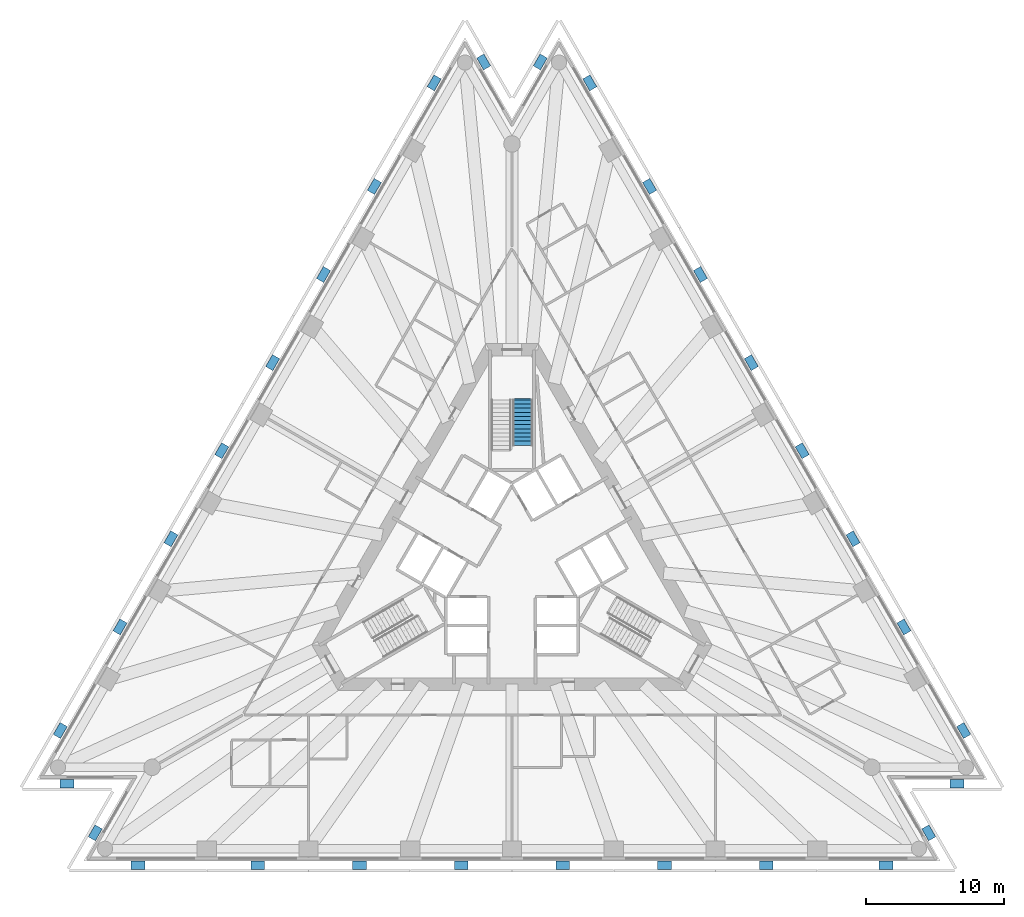
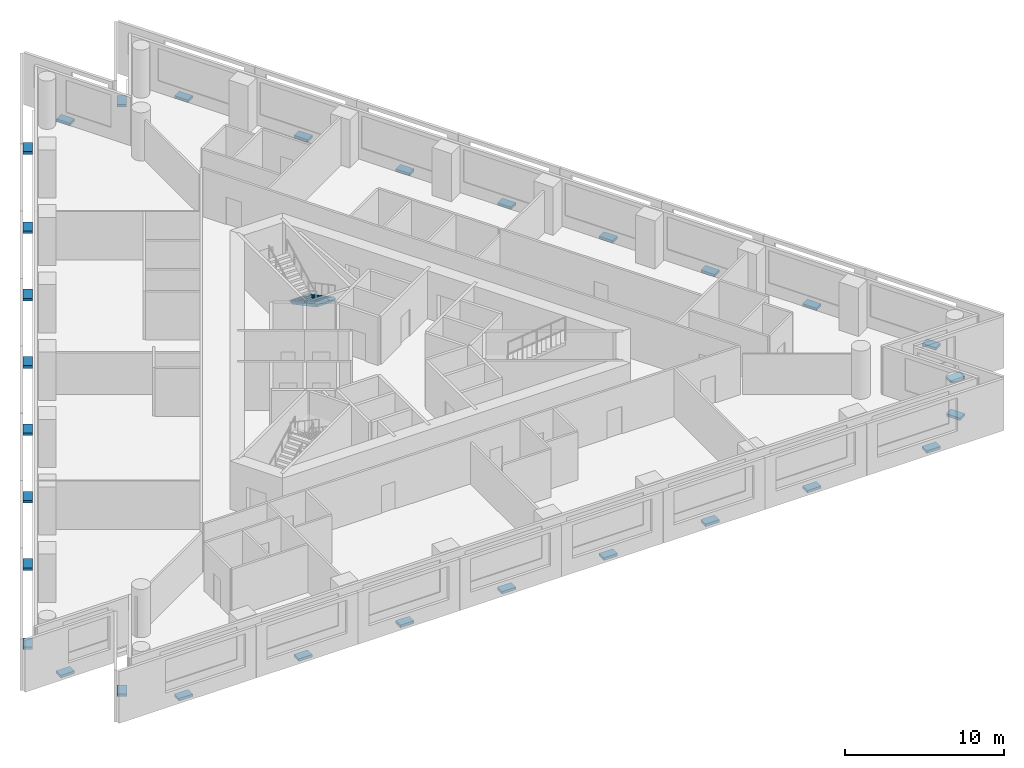
# One storey, part 9 of 11: 30 discrete accessories, 1 stair flight, 1 element without a shape of its own.
"""IFC4 building model written with IfcOpenShell, lengths in metres."""

from ifc_helpers import new_model, si_unit, direction, frame, origin, origin_2d, place, context, subcontext, project, spatial, polyline, rectangle, outline, extrude, material, type_object, element, aggregate, save


model = new_model("IFC4")

# Units and contexts
model_context = context("Model", 3, precision=1e-05, world=origin(), true_north=direction((0.0, 1.0)))
body_context = subcontext(model_context, "Body", "Model", "MODEL_VIEW")
ifc_project = project(units=[si_unit("LENGTHUNIT", "METRE"), si_unit("AREAUNIT", "SQUARE_METRE"), si_unit("VOLUMEUNIT", "CUBIC_METRE"), si_unit("PLANEANGLEUNIT", "RADIAN"), si_unit("MASSUNIT", "GRAM", prefix="KILO")], contexts=[model_context])

# Site, building, storey
site_placement = place(None, origin())
site = spatial("IfcSite", under=ifc_project, at=site_placement, CompositionType="ELEMENT")
building_placement = place(site_placement, origin())
building = spatial("IfcBuilding", under=site, at=building_placement, Name="Triada Interchange Tower", CompositionType="ELEMENT")
storey_placement = place(building_placement, frame((0.0, 0.0, 63.300048828125)))
storey = spatial("IfcBuildingStorey", under=building, at=storey_placement, Name="L13", CompositionType="ELEMENT", Elevation=63.300048828125)

# Stair, stair flight
ifc_material_1 = material(Name="Concrete C35/45", Category="concrete")
stair_type = type_object("IfcStairType", Name="HALF TURN STAIR 1400", PredefinedType="HALF_TURN_STAIR", material=ifc_material_1)
stair_placement = place(storey_placement, origin())
stair = element("IfcStair", 1, at=stair_placement, inside=storey, type_object=stair_type, Name="Exit stair S12-1", PredefinedType="HALF_TURN_STAIR")
stair_flight_type = type_object("IfcStairFlightType", Name="STRAIGHT STAIR FLIGHT 1400", PredefinedType="STRAIGHT", material=ifc_material_1)
stair_flight_placement = place(storey_placement, frame((0.800048828125, 11.60009765625, 0.0), z_axis=(0.0, 0.0, 1.0), x_axis=(0.0, -1.0, 0.0)))
stair_flight = element("IfcStairFlight", 2, at=stair_flight_placement, type_object=stair_flight_type, Name="S12-1 flight 1", NumberOfRisers=12, NumberOfTreads=11, PredefinedType="STRAIGHT", RiserHeight=0.16, TreadLength=0.3, context=body_context, shape_type="SweptSolid", body=[
    extrude(outline(polyline([(-0.10009765625, 0.0), (-0.10009765625, 0.02001953125), (0.0, 0.02001953125), (0.0, 0.159912109375), (0.300048828125, 0.159912109375), (0.300048828125, 0.320068359375), (0.60009765625, 0.320068359375), (0.60009765625, 0.47998046875), (0.89990234375, 0.47998046875), (0.89990234375, 0.639892578125), (1.199951171875, 0.639892578125), (1.199951171875, 0.800048828125), (1.5, 0.800048828125), (1.5, 0.9599609375), (1.800048828125, 0.9599609375), (1.800048828125, 1.1201171875), (2.10009765625, 1.1201171875), (2.10009765625, 1.280029296875), (2.39990234375, 1.280029296875), (2.39990234375, 1.43994140625), (2.699951171875, 1.43994140625), (2.699951171875, 1.60009765625), (3.0, 1.60009765625), (3.0, 1.760009765625), (3.300048828125, 1.760009765625), (3.303955078125, 1.760009765625), (3.303955078125, 1.919921875), (3.303955078125, 1.590087890625), (0.318603515625, 0.0), (-0.10009765625, 0.0)])), frame((0.0, 0.699951171875, 0.0), z_axis=(0.0, -1.0, 0.0), x_axis=(1.0, 0.0, 0.0)), (0.0, 0.0, 1.0), 0.46533203125),
    extrude(outline(polyline([(-0.10009765625, 0.0), (-0.10009765625, 0.02001953125), (0.0, 0.02001953125), (0.0, 0.159912109375), (0.300048828125, 0.159912109375), (0.300048828125, 0.320068359375), (0.60009765625, 0.320068359375), (0.60009765625, 0.47998046875), (0.89990234375, 0.47998046875), (0.89990234375, 0.639892578125), (1.199951171875, 0.639892578125), (1.199951171875, 0.800048828125), (1.5, 0.800048828125), (1.5, 0.9599609375), (1.800048828125, 0.9599609375), (1.800048828125, 1.1201171875), (2.10009765625, 1.1201171875), (2.10009765625, 1.280029296875), (2.39990234375, 1.280029296875), (2.39990234375, 1.43994140625), (2.699951171875, 1.43994140625), (2.699951171875, 1.60009765625), (3.0, 1.60009765625), (3.0, 1.760009765625), (3.300048828125, 1.760009765625), (3.303955078125, 1.760009765625), (3.303955078125, 1.919921875), (3.303955078125, 1.590087890625), (0.318603515625, 0.0), (-0.10009765625, 0.0)])), frame((0.0, 0.232666015625, 0.0), z_axis=(0.0, -1.0, 0.0), x_axis=(1.0, 0.0, 0.0)), (0.0, 0.0, 1.0), 0.46533203125),
    extrude(outline(polyline([(-0.10009765625, 0.0), (-0.10009765625, 0.02001953125), (0.0, 0.02001953125), (0.0, 0.159912109375), (0.300048828125, 0.159912109375), (0.300048828125, 0.320068359375), (0.60009765625, 0.320068359375), (0.60009765625, 0.47998046875), (0.89990234375, 0.47998046875), (0.89990234375, 0.639892578125), (1.199951171875, 0.639892578125), (1.199951171875, 0.800048828125), (1.5, 0.800048828125), (1.5, 0.9599609375), (1.800048828125, 0.9599609375), (1.800048828125, 1.1201171875), (2.10009765625, 1.1201171875), (2.10009765625, 1.280029296875), (2.39990234375, 1.280029296875), (2.39990234375, 1.43994140625), (2.699951171875, 1.43994140625), (2.699951171875, 1.60009765625), (3.0, 1.60009765625), (3.0, 1.760009765625), (3.300048828125, 1.760009765625), (3.303955078125, 1.760009765625), (3.303955078125, 1.919921875), (3.303955078125, 1.590087890625), (0.318603515625, 0.0), (-0.10009765625, 0.0)])), frame((0.0, -0.234619140625, 0.0), z_axis=(0.0, -1.0, 0.0), x_axis=(1.0, 0.0, 0.0)), (0.0, 0.0, 1.0), 0.46533203125),
])
aggregate(stair, [stair_flight])

# Discrete accessories
ifc_material_2 = material(Name="Steel S355", Category="steel")
discrete_accessory_type = type_object("IfcDiscreteAccessoryType", Name="Steel bracket outer skin", PredefinedType="BRACKET", material=ifc_material_2)
for number, where, z_axis, x_axis, name in (
    (3, (-5.654052734375, 34.636962890625, -0.27001953125), (0.0, 0.0, 1.0), (-0.86602214, 0.500005652997, 0.0), "Bracket L13 01"),
    (4, (-9.9990234375, 27.111083984375, -0.27001953125), (0.0, 0.0, 1.0), (-0.86602214, 0.500005652997, 0.0), "Bracket L13 02"),
    (5, (-13.695068359375, 20.7099609375, -0.27001953125), (0.0, 0.0, 1.0), (-0.86602214, 0.500005652997, 0.0), "Bracket L13 03"),
    (6, (-17.39111328125, 14.30810546875, -0.27001953125), (0.0, 0.0, 1.0), (-0.86602214, 0.500005652997, 0.0), "Bracket L13 04"),
    (7, (-21.0869140625, 7.906982421875, -0.27001953125), (0.0, 0.0, 1.0), (-0.86602214, 0.500005652997, 0.0), "Bracket L13 05"),
    (8, (-24.782958984375, 1.5048828125, -0.27001953125), (0.0, 0.0, 1.0), (-0.86602214, 0.500005652997, 0.0), "Bracket L13 06"),
    (9, (-28.47900390625, -4.89599609375, -0.27001953125), (0.0, 0.0, 1.0), (-0.86602214, 0.500005652997, 0.0), "Bracket L13 07"),
    (10, (-32.823974609375, -12.422119140625, -0.27001953125), (0.0, 0.0, 1.0), (-0.86602214, 0.500005652997, 0.0), "Bracket L13 08"),
    (11, (-32.337890625, -16.298095703125, -0.27001953125), (0.0, 0.0, 1.0), (0.0, -1.0, 0.0), "Bracket L13 09"),
    (12, (-30.282958984375, -19.85693359375, -0.27001953125), (0.0, 0.0, 1.0), (-0.866036905275, 0.499980078305, 0.0), "Bracket L13 10"),
    (13, (-27.1689453125, -22.215087890625, -0.27001953125), (0.0, 0.0, 1.0), (0.0, -1.0, 0.0), "Bracket L13 11"),
    (14, (-18.47900390625, -22.215087890625, -0.27001953125), (0.0, 0.0, 1.0), (0.0, -1.0, 0.0), "Bracket L13 12"),
    (15, (-11.0869140625, -22.215087890625, -0.27001953125), (0.0, 0.0, 1.0), (0.0, -1.0, 0.0), "Bracket L13 13"),
    (16, (-3.696044921875, -22.215087890625, -0.27001953125), (0.0, 0.0, 1.0), (0.0, -1.0, 0.0), "Bracket L13 14"),
    (17, (3.696044921875, -22.215087890625, -0.27001953125), (0.0, 0.0, 1.0), (0.0, -1.0, 0.0), "Bracket L13 15"),
    (18, (11.0869140625, -22.215087890625, -0.27001953125), (0.0, 0.0, 1.0), (0.0, -1.0, 0.0), "Bracket L13 16"),
    (19, (18.47900390625, -22.215087890625, -0.27001953125), (0.0, 0.0, 1.0), (0.0, -1.0, 0.0), "Bracket L13 17"),
    (20, (27.1689453125, -22.215087890625, -0.27001953125), (0.0, 0.0, 1.0), (0.0, -1.0, 0.0), "Bracket L13 18"),
    (21, (30.282958984375, -19.85693359375, -0.27001953125), (0.0, 0.0, 1.0), (0.866036905275, 0.499980078305, 0.0), "Bracket L13 19"),
    (22, (32.337890625, -16.298095703125, -0.27001953125), (0.0, 0.0, 1.0), (0.0, -1.0, 0.0), "Bracket L13 20"),
    (23, (32.823974609375, -12.422119140625, -0.27001953125), (0.0, 0.0, 1.0), (0.86602214, 0.500005652997, 0.0), "Bracket L13 21"),
    (24, (28.47900390625, -4.89599609375, -0.27001953125), (0.0, 0.0, 1.0), (0.86602214, 0.500005652997, 0.0), "Bracket L13 22"),
    (25, (24.782958984375, 1.5048828125, -0.27001953125), (0.0, 0.0, 1.0), (0.86602214, 0.500005652997, 0.0), "Bracket L13 23"),
    (26, (21.0869140625, 7.906982421875, -0.27001953125), (0.0, 0.0, 1.0), (0.86602214, 0.500005652997, 0.0), "Bracket L13 24"),
    (27, (17.39111328125, 14.30810546875, -0.27001953125), (0.0, 0.0, 1.0), (0.86602214, 0.500005652997, 0.0), "Bracket L13 25"),
    (28, (13.695068359375, 20.7099609375, -0.27001953125), (0.0, 0.0, 1.0), (0.86602214, 0.500005652997, 0.0), "Bracket L13 26"),
    (29, (9.9990234375, 27.111083984375, -0.27001953125), (0.0, 0.0, 1.0), (0.86602214, 0.500005652997, 0.0), "Bracket L13 27"),
    (30, (5.654052734375, 34.636962890625, -0.27001953125), (0.0, 0.0, 1.0), (0.86602214, 0.500005652997, 0.0), "Bracket L13 28"),
    (31, (2.053955078125, 36.155029296875, -0.27001953125), (0.0, 0.0, 1.0), (-0.866036905275, 0.499980078305, 0.0), "Bracket L13 29"),
    (32, (-2.053955078125, 36.155029296875, -0.27001953125), (0.0, 0.0, 1.0), (0.866036905275, 0.499980078305, 0.0), "Bracket L13 30"),
):
    element("IfcDiscreteAccessory", number, at=place(storey_placement, frame(where, z_axis=z_axis, x_axis=x_axis)), inside=storey, type_object=discrete_accessory_type, Name=name, PredefinedType="BRACKET", context=body_context, shape_type="SweptSolid", body=[
        extrude(rectangle(XDim=0.60009765625, YDim=1.0, at=origin_2d()), origin(), (0.0, 0.0, 1.0), 0.199951171875),
    ])

save(model, "model.ifc")
